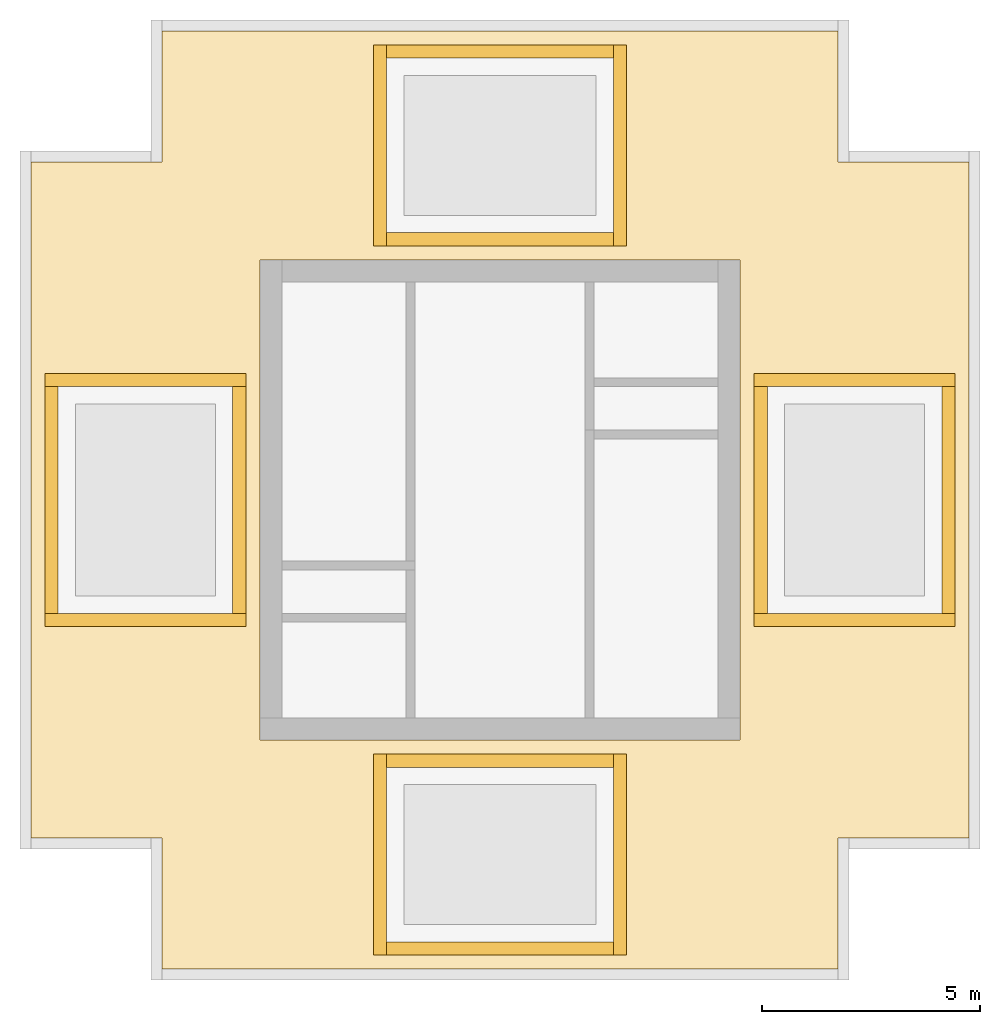
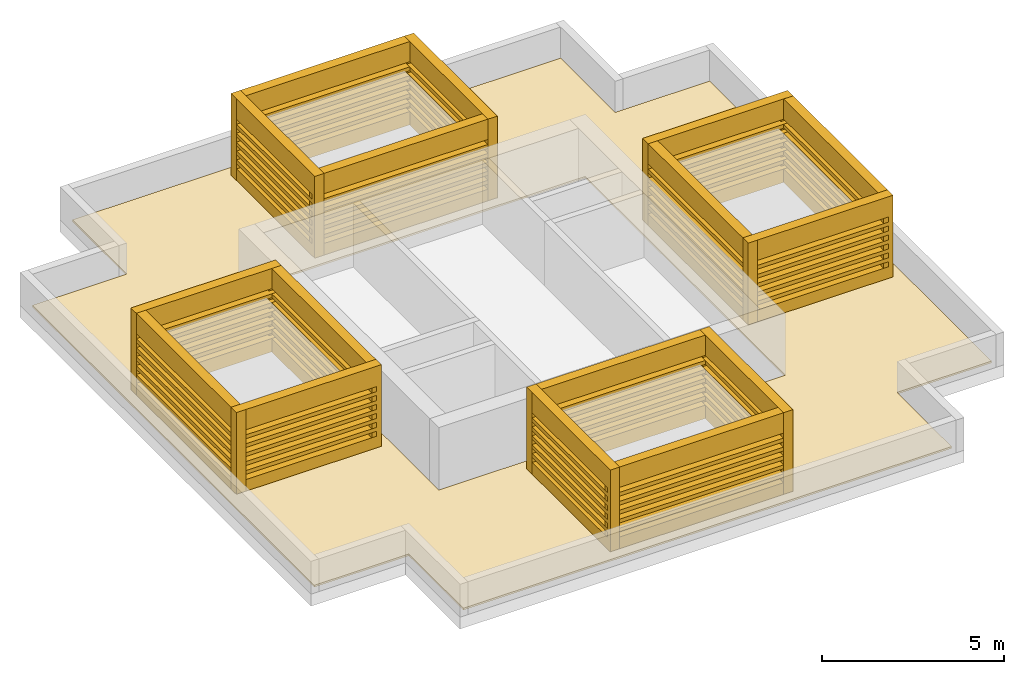
# One storey, part 2 of 3: 16 shading devices, 1 covering.
"""IFC4 building model written with IfcOpenShell, lengths in metres."""

from ifc_helpers import new_model, si_unit, direction, frame, origin, place, context, subcontext, project, spatial, polyline, outline, extrude, material, layer, layer_set, type_object, element, save


model = new_model("IFC4")

# Units and contexts
model_context = context("Model", 3, precision=1e-05, world=origin(), true_north=direction((0.0, 1.0)))
body_context = subcontext(model_context, "Body", "Model", "MODEL_VIEW")
ifc_project = project(units=[si_unit("LENGTHUNIT", "METRE"), si_unit("AREAUNIT", "SQUARE_METRE"), si_unit("VOLUMEUNIT", "CUBIC_METRE"), si_unit("PLANEANGLEUNIT", "RADIAN"), si_unit("MASSUNIT", "GRAM", prefix="KILO")], contexts=[model_context])

# Site, building, storey
site_placement = place(None, origin())
site = spatial("IfcSite", under=ifc_project, at=site_placement, CompositionType="ELEMENT")
building_placement = place(site_placement, origin())
building = spatial("IfcBuilding", under=site, at=building_placement, Name="Khepri Terraces", CompositionType="ELEMENT")
storey_placement = place(building_placement, frame((0.0, 0.0, 321.60009765625)))
storey = spatial("IfcBuildingStorey", under=building, at=storey_placement, Name="RF", CompositionType="ELEMENT", Elevation=321.60009765625)

# Covering
ifc_material_1 = material(Name="Bituminous roofing membrane")
ifc_layer = layer(ifc_material_1, 0.06005859375, Name="Bituminous roofing membrane")
ifc_layer_set = layer_set([ifc_layer], Name="Bituminous roofing membrane")
covering_type = type_object("IfcCoveringType", Name="COV-ROOF-MEMBRANE-60", PredefinedType="ROOFING", material=ifc_layer_set)
covering_placement = place(storey_placement, origin())
element("IfcCovering", 1, at=covering_placement, inside=storey, type_object=covering_type, Name="Roof membrane", PredefinedType="ROOFING", context=body_context, shape_type="SweptSolid", body=[
    extrude(outline(polyline([(7.75, -7.75), (10.75, -7.75), (10.75, 7.75), (7.75, 7.75), (7.75, 10.75), (-7.75, 10.75), (-7.75, 7.75), (-10.75, 7.75), (-10.75, -7.75), (-7.75, -7.75), (-7.75, -10.75), (7.75, -10.75), (7.75, -7.75)]), holes=[polyline([(-2.89990234375, -10.425048828125), (2.89990234375, -10.425048828125), (2.89990234375, -5.824951171875), (-2.89990234375, -5.824951171875), (-2.89990234375, -10.425048828125)]), polyline([(-10.425048828125, -2.89990234375), (-5.824951171875, -2.89990234375), (-5.824951171875, 2.89990234375), (-10.425048828125, 2.89990234375), (-10.425048828125, -2.89990234375)]), polyline([(-5.5, -5.5), (5.5, -5.5), (5.5, 5.5), (-5.5, 5.5), (-5.5, -5.5)]), polyline([(5.824951171875, 2.89990234375), (5.824951171875, -2.89990234375), (10.425048828125, -2.89990234375), (10.425048828125, 2.89990234375), (5.824951171875, 2.89990234375)]), polyline([(-2.89990234375, 10.425048828125), (-2.89990234375, 5.824951171875), (2.89990234375, 5.824951171875), (2.89990234375, 10.425048828125), (-2.89990234375, 10.425048828125)])]), origin(), (0.0, 0.0, 1.0), 0.059814453125),
])

# Shading devices
ifc_material_2 = material(Name="Anodised aluminium bronze", Category="aluminium")
shading_device_type = type_object("IfcShadingDeviceType", Name="LVR-PLANT-300", PredefinedType="USERDEFINED", material=ifc_material_2)
shading_device_1_placement = place(storey_placement, frame((5.824951171875, -2.60009765625, 0.0), z_axis=(0.0, -1.0, 0.0), x_axis=(1.0, 0.0, 0.0)))
element("IfcShadingDevice", 2, at=shading_device_1_placement, inside=storey, type_object=shading_device_type, Name="Louvre wall RF S", ObjectType="LOUVRE", PredefinedType="USERDEFINED", context=body_context, shape_type="SweptSolid", body=[
    extrude(outline(polyline([(0.0, 0.0), (4.60009765625, 0.0), (4.60009765625, 2.800048828125), (0.0, 2.800048828125), (0.0, 0.0)]), holes=[polyline([(0.14990234375, 0.449951171875), (4.449951171875, 0.449951171875), (4.449951171875, 0.6201171875), (0.14990234375, 0.6201171875), (0.14990234375, 0.449951171875)]), polyline([(0.14990234375, 0.75), (4.449951171875, 0.75), (4.449951171875, 0.919921875), (0.14990234375, 0.919921875), (0.14990234375, 0.75)]), polyline([(0.14990234375, 1.050048828125), (4.449951171875, 1.050048828125), (4.449951171875, 1.219970703125), (0.14990234375, 1.219970703125), (0.14990234375, 1.050048828125)]), polyline([(0.14990234375, 1.35009765625), (4.449951171875, 1.35009765625), (4.449951171875, 1.52001953125), (0.14990234375, 1.52001953125), (0.14990234375, 1.35009765625)]), polyline([(0.14990234375, 1.64990234375), (4.449951171875, 1.64990234375), (4.449951171875, 1.820068359375), (0.14990234375, 1.820068359375), (0.14990234375, 1.64990234375)]), polyline([(0.14990234375, 1.949951171875), (4.449951171875, 1.949951171875), (4.449951171875, 2.1201171875), (0.14990234375, 2.1201171875), (0.14990234375, 1.949951171875)])]), origin(), (0.0, 0.0, 1.0), 0.2998046875),
])
shading_device_2_placement = place(storey_placement, frame((10.125, -2.89990234375, 0.0), z_axis=(1.0, 0.0, 0.0), x_axis=(0.0, 1.0, 0.0)))
element("IfcShadingDevice", 3, at=shading_device_2_placement, inside=storey, type_object=shading_device_type, Name="Louvre wall RF E", ObjectType="LOUVRE", PredefinedType="USERDEFINED", context=body_context, shape_type="SweptSolid", body=[
    extrude(outline(polyline([(0.0, 0.0), (5.800048828125, 0.0), (5.800048828125, 2.800048828125), (0.0, 2.800048828125), (0.0, 0.0)]), holes=[polyline([(0.14990234375, 0.449951171875), (5.64990234375, 0.449951171875), (5.64990234375, 0.6201171875), (0.14990234375, 0.6201171875), (0.14990234375, 0.449951171875)]), polyline([(0.14990234375, 0.75), (5.64990234375, 0.75), (5.64990234375, 0.919921875), (0.14990234375, 0.919921875), (0.14990234375, 0.75)]), polyline([(0.14990234375, 1.050048828125), (5.64990234375, 1.050048828125), (5.64990234375, 1.219970703125), (0.14990234375, 1.219970703125), (0.14990234375, 1.050048828125)]), polyline([(0.14990234375, 1.35009765625), (5.64990234375, 1.35009765625), (5.64990234375, 1.52001953125), (0.14990234375, 1.52001953125), (0.14990234375, 1.35009765625)]), polyline([(0.14990234375, 1.64990234375), (5.64990234375, 1.64990234375), (5.64990234375, 1.820068359375), (0.14990234375, 1.820068359375), (0.14990234375, 1.64990234375)]), polyline([(0.14990234375, 1.949951171875), (5.64990234375, 1.949951171875), (5.64990234375, 2.1201171875), (0.14990234375, 2.1201171875), (0.14990234375, 1.949951171875)])]), origin(), (0.0, 0.0, 1.0), 0.300048828125),
])
shading_device_3_placement = place(storey_placement, frame((10.425048828125, 2.60009765625, 0.0), z_axis=(0.0, 1.0, 0.0), x_axis=(-1.0, 0.0, 0.0)))
element("IfcShadingDevice", 4, at=shading_device_3_placement, inside=storey, type_object=shading_device_type, Name="Louvre wall RF N", ObjectType="LOUVRE", PredefinedType="USERDEFINED", context=body_context, shape_type="SweptSolid", body=[
    extrude(outline(polyline([(0.0, 0.0), (4.60009765625, 0.0), (4.60009765625, 2.800048828125), (0.0, 2.800048828125), (0.0, 0.0)]), holes=[polyline([(0.14990234375, 0.449951171875), (4.449951171875, 0.449951171875), (4.449951171875, 0.6201171875), (0.14990234375, 0.6201171875), (0.14990234375, 0.449951171875)]), polyline([(0.14990234375, 0.75), (4.449951171875, 0.75), (4.449951171875, 0.919921875), (0.14990234375, 0.919921875), (0.14990234375, 0.75)]), polyline([(0.14990234375, 1.050048828125), (4.449951171875, 1.050048828125), (4.449951171875, 1.219970703125), (0.14990234375, 1.219970703125), (0.14990234375, 1.050048828125)]), polyline([(0.14990234375, 1.35009765625), (4.449951171875, 1.35009765625), (4.449951171875, 1.52001953125), (0.14990234375, 1.52001953125), (0.14990234375, 1.35009765625)]), polyline([(0.14990234375, 1.64990234375), (4.449951171875, 1.64990234375), (4.449951171875, 1.820068359375), (0.14990234375, 1.820068359375), (0.14990234375, 1.64990234375)]), polyline([(0.14990234375, 1.949951171875), (4.449951171875, 1.949951171875), (4.449951171875, 2.1201171875), (0.14990234375, 2.1201171875), (0.14990234375, 1.949951171875)])]), origin(), (0.0, 0.0, 1.0), 0.2998046875),
])
shading_device_4_placement = place(storey_placement, frame((6.125, 2.89990234375, 0.0), z_axis=(-1.0, 0.0, 0.0), x_axis=(0.0, -1.0, 0.0)))
element("IfcShadingDevice", 5, at=shading_device_4_placement, inside=storey, type_object=shading_device_type, Name="Louvre wall RF W", ObjectType="LOUVRE", PredefinedType="USERDEFINED", context=body_context, shape_type="SweptSolid", body=[
    extrude(outline(polyline([(0.0, 0.0), (5.800048828125, 0.0), (5.800048828125, 2.800048828125), (0.0, 2.800048828125), (0.0, 0.0)]), holes=[polyline([(0.14990234375, 0.449951171875), (5.64990234375, 0.449951171875), (5.64990234375, 0.6201171875), (0.14990234375, 0.6201171875), (0.14990234375, 0.449951171875)]), polyline([(0.14990234375, 0.75), (5.64990234375, 0.75), (5.64990234375, 0.919921875), (0.14990234375, 0.919921875), (0.14990234375, 0.75)]), polyline([(0.14990234375, 1.050048828125), (5.64990234375, 1.050048828125), (5.64990234375, 1.219970703125), (0.14990234375, 1.219970703125), (0.14990234375, 1.050048828125)]), polyline([(0.14990234375, 1.35009765625), (5.64990234375, 1.35009765625), (5.64990234375, 1.52001953125), (0.14990234375, 1.52001953125), (0.14990234375, 1.35009765625)]), polyline([(0.14990234375, 1.64990234375), (5.64990234375, 1.64990234375), (5.64990234375, 1.820068359375), (0.14990234375, 1.820068359375), (0.14990234375, 1.64990234375)]), polyline([(0.14990234375, 1.949951171875), (5.64990234375, 1.949951171875), (5.64990234375, 2.1201171875), (0.14990234375, 2.1201171875), (0.14990234375, 1.949951171875)])]), origin(), (0.0, 0.0, 1.0), 0.300048828125),
])
shading_device_5_placement = place(storey_placement, frame((-10.425048828125, -2.60009765625, 0.0), z_axis=(0.0, -1.0, 0.0), x_axis=(1.0, 0.0, 0.0)))
element("IfcShadingDevice", 6, at=shading_device_5_placement, inside=storey, type_object=shading_device_type, Name="Louvre wall RF S", ObjectType="LOUVRE", PredefinedType="USERDEFINED", context=body_context, shape_type="SweptSolid", body=[
    extrude(outline(polyline([(0.0, 0.0), (4.60009765625, 0.0), (4.60009765625, 2.800048828125), (0.0, 2.800048828125), (0.0, 0.0)]), holes=[polyline([(0.14990234375, 0.449951171875), (4.449951171875, 0.449951171875), (4.449951171875, 0.6201171875), (0.14990234375, 0.6201171875), (0.14990234375, 0.449951171875)]), polyline([(0.14990234375, 0.75), (4.449951171875, 0.75), (4.449951171875, 0.919921875), (0.14990234375, 0.919921875), (0.14990234375, 0.75)]), polyline([(0.14990234375, 1.050048828125), (4.449951171875, 1.050048828125), (4.449951171875, 1.219970703125), (0.14990234375, 1.219970703125), (0.14990234375, 1.050048828125)]), polyline([(0.14990234375, 1.35009765625), (4.449951171875, 1.35009765625), (4.449951171875, 1.52001953125), (0.14990234375, 1.52001953125), (0.14990234375, 1.35009765625)]), polyline([(0.14990234375, 1.64990234375), (4.449951171875, 1.64990234375), (4.449951171875, 1.820068359375), (0.14990234375, 1.820068359375), (0.14990234375, 1.64990234375)]), polyline([(0.14990234375, 1.949951171875), (4.449951171875, 1.949951171875), (4.449951171875, 2.1201171875), (0.14990234375, 2.1201171875), (0.14990234375, 1.949951171875)])]), origin(), (0.0, 0.0, 1.0), 0.2998046875),
])
shading_device_6_placement = place(storey_placement, frame((-6.125, -2.89990234375, 0.0), z_axis=(1.0, 0.0, 0.0), x_axis=(0.0, 1.0, 0.0)))
element("IfcShadingDevice", 7, at=shading_device_6_placement, inside=storey, type_object=shading_device_type, Name="Louvre wall RF E", ObjectType="LOUVRE", PredefinedType="USERDEFINED", context=body_context, shape_type="SweptSolid", body=[
    extrude(outline(polyline([(0.0, 0.0), (5.800048828125, 0.0), (5.800048828125, 2.800048828125), (0.0, 2.800048828125), (0.0, 0.0)]), holes=[polyline([(0.14990234375, 0.449951171875), (5.64990234375, 0.449951171875), (5.64990234375, 0.6201171875), (0.14990234375, 0.6201171875), (0.14990234375, 0.449951171875)]), polyline([(0.14990234375, 0.75), (5.64990234375, 0.75), (5.64990234375, 0.919921875), (0.14990234375, 0.919921875), (0.14990234375, 0.75)]), polyline([(0.14990234375, 1.050048828125), (5.64990234375, 1.050048828125), (5.64990234375, 1.219970703125), (0.14990234375, 1.219970703125), (0.14990234375, 1.050048828125)]), polyline([(0.14990234375, 1.35009765625), (5.64990234375, 1.35009765625), (5.64990234375, 1.52001953125), (0.14990234375, 1.52001953125), (0.14990234375, 1.35009765625)]), polyline([(0.14990234375, 1.64990234375), (5.64990234375, 1.64990234375), (5.64990234375, 1.820068359375), (0.14990234375, 1.820068359375), (0.14990234375, 1.64990234375)]), polyline([(0.14990234375, 1.949951171875), (5.64990234375, 1.949951171875), (5.64990234375, 2.1201171875), (0.14990234375, 2.1201171875), (0.14990234375, 1.949951171875)])]), origin(), (0.0, 0.0, 1.0), 0.300048828125),
])
shading_device_7_placement = place(storey_placement, frame((-5.824951171875, 2.60009765625, 0.0), z_axis=(0.0, 1.0, 0.0), x_axis=(-1.0, 0.0, 0.0)))
element("IfcShadingDevice", 8, at=shading_device_7_placement, inside=storey, type_object=shading_device_type, Name="Louvre wall RF N", ObjectType="LOUVRE", PredefinedType="USERDEFINED", context=body_context, shape_type="SweptSolid", body=[
    extrude(outline(polyline([(0.0, 0.0), (4.60009765625, 0.0), (4.60009765625, 2.800048828125), (0.0, 2.800048828125), (0.0, 0.0)]), holes=[polyline([(0.14990234375, 0.449951171875), (4.449951171875, 0.449951171875), (4.449951171875, 0.6201171875), (0.14990234375, 0.6201171875), (0.14990234375, 0.449951171875)]), polyline([(0.14990234375, 0.75), (4.449951171875, 0.75), (4.449951171875, 0.919921875), (0.14990234375, 0.919921875), (0.14990234375, 0.75)]), polyline([(0.14990234375, 1.050048828125), (4.449951171875, 1.050048828125), (4.449951171875, 1.219970703125), (0.14990234375, 1.219970703125), (0.14990234375, 1.050048828125)]), polyline([(0.14990234375, 1.35009765625), (4.449951171875, 1.35009765625), (4.449951171875, 1.52001953125), (0.14990234375, 1.52001953125), (0.14990234375, 1.35009765625)]), polyline([(0.14990234375, 1.64990234375), (4.449951171875, 1.64990234375), (4.449951171875, 1.820068359375), (0.14990234375, 1.820068359375), (0.14990234375, 1.64990234375)]), polyline([(0.14990234375, 1.949951171875), (4.449951171875, 1.949951171875), (4.449951171875, 2.1201171875), (0.14990234375, 2.1201171875), (0.14990234375, 1.949951171875)])]), origin(), (0.0, 0.0, 1.0), 0.2998046875),
])
for number, where, z_axis, x_axis, name in (
    (9, (-10.125, 2.89990234375, 0.0), (-1.0, 0.0, 0.0), (0.0, -1.0, 0.0), "Louvre wall RF W"),
    (10, (-2.89990234375, 6.125, 0.0), (0.0, -1.0, 0.0), (1.0, 0.0, 0.0), "Louvre wall RF S"),
):
    element("IfcShadingDevice", number, at=place(storey_placement, frame(where, z_axis=z_axis, x_axis=x_axis)), inside=storey, type_object=shading_device_type, Name=name, ObjectType="LOUVRE", PredefinedType="USERDEFINED", context=body_context, shape_type="SweptSolid", body=[
        extrude(outline(polyline([(0.0, 0.0), (5.800048828125, 0.0), (5.800048828125, 2.800048828125), (0.0, 2.800048828125), (0.0, 0.0)]), holes=[polyline([(0.14990234375, 0.449951171875), (5.64990234375, 0.449951171875), (5.64990234375, 0.6201171875), (0.14990234375, 0.6201171875), (0.14990234375, 0.449951171875)]), polyline([(0.14990234375, 0.75), (5.64990234375, 0.75), (5.64990234375, 0.919921875), (0.14990234375, 0.919921875), (0.14990234375, 0.75)]), polyline([(0.14990234375, 1.050048828125), (5.64990234375, 1.050048828125), (5.64990234375, 1.219970703125), (0.14990234375, 1.219970703125), (0.14990234375, 1.050048828125)]), polyline([(0.14990234375, 1.35009765625), (5.64990234375, 1.35009765625), (5.64990234375, 1.52001953125), (0.14990234375, 1.52001953125), (0.14990234375, 1.35009765625)]), polyline([(0.14990234375, 1.64990234375), (5.64990234375, 1.64990234375), (5.64990234375, 1.820068359375), (0.14990234375, 1.820068359375), (0.14990234375, 1.64990234375)]), polyline([(0.14990234375, 1.949951171875), (5.64990234375, 1.949951171875), (5.64990234375, 2.1201171875), (0.14990234375, 2.1201171875), (0.14990234375, 1.949951171875)])]), origin(), (0.0, 0.0, 1.0), 0.300048828125),
    ])
shading_device_8_placement = place(storey_placement, frame((2.60009765625, 5.824951171875, 0.0), z_axis=(1.0, 0.0, 0.0), x_axis=(0.0, 1.0, 0.0)))
element("IfcShadingDevice", 11, at=shading_device_8_placement, inside=storey, type_object=shading_device_type, Name="Louvre wall RF E", ObjectType="LOUVRE", PredefinedType="USERDEFINED", context=body_context, shape_type="SweptSolid", body=[
    extrude(outline(polyline([(0.0, 0.0), (4.60009765625, 0.0), (4.60009765625, 2.800048828125), (0.0, 2.800048828125), (0.0, 0.0)]), holes=[polyline([(0.14990234375, 0.449951171875), (4.449951171875, 0.449951171875), (4.449951171875, 0.6201171875), (0.14990234375, 0.6201171875), (0.14990234375, 0.449951171875)]), polyline([(0.14990234375, 0.75), (4.449951171875, 0.75), (4.449951171875, 0.919921875), (0.14990234375, 0.919921875), (0.14990234375, 0.75)]), polyline([(0.14990234375, 1.050048828125), (4.449951171875, 1.050048828125), (4.449951171875, 1.219970703125), (0.14990234375, 1.219970703125), (0.14990234375, 1.050048828125)]), polyline([(0.14990234375, 1.35009765625), (4.449951171875, 1.35009765625), (4.449951171875, 1.52001953125), (0.14990234375, 1.52001953125), (0.14990234375, 1.35009765625)]), polyline([(0.14990234375, 1.64990234375), (4.449951171875, 1.64990234375), (4.449951171875, 1.820068359375), (0.14990234375, 1.820068359375), (0.14990234375, 1.64990234375)]), polyline([(0.14990234375, 1.949951171875), (4.449951171875, 1.949951171875), (4.449951171875, 2.1201171875), (0.14990234375, 2.1201171875), (0.14990234375, 1.949951171875)])]), origin(), (0.0, 0.0, 1.0), 0.2998046875),
])
shading_device_9_placement = place(storey_placement, frame((2.89990234375, 10.125, 0.0), z_axis=(0.0, 1.0, 0.0), x_axis=(-1.0, 0.0, 0.0)))
element("IfcShadingDevice", 12, at=shading_device_9_placement, inside=storey, type_object=shading_device_type, Name="Louvre wall RF N", ObjectType="LOUVRE", PredefinedType="USERDEFINED", context=body_context, shape_type="SweptSolid", body=[
    extrude(outline(polyline([(0.0, 0.0), (5.800048828125, 0.0), (5.800048828125, 2.800048828125), (0.0, 2.800048828125), (0.0, 0.0)]), holes=[polyline([(0.14990234375, 0.449951171875), (5.64990234375, 0.449951171875), (5.64990234375, 0.6201171875), (0.14990234375, 0.6201171875), (0.14990234375, 0.449951171875)]), polyline([(0.14990234375, 0.75), (5.64990234375, 0.75), (5.64990234375, 0.919921875), (0.14990234375, 0.919921875), (0.14990234375, 0.75)]), polyline([(0.14990234375, 1.050048828125), (5.64990234375, 1.050048828125), (5.64990234375, 1.219970703125), (0.14990234375, 1.219970703125), (0.14990234375, 1.050048828125)]), polyline([(0.14990234375, 1.35009765625), (5.64990234375, 1.35009765625), (5.64990234375, 1.52001953125), (0.14990234375, 1.52001953125), (0.14990234375, 1.35009765625)]), polyline([(0.14990234375, 1.64990234375), (5.64990234375, 1.64990234375), (5.64990234375, 1.820068359375), (0.14990234375, 1.820068359375), (0.14990234375, 1.64990234375)]), polyline([(0.14990234375, 1.949951171875), (5.64990234375, 1.949951171875), (5.64990234375, 2.1201171875), (0.14990234375, 2.1201171875), (0.14990234375, 1.949951171875)])]), origin(), (0.0, 0.0, 1.0), 0.300048828125),
])
shading_device_10_placement = place(storey_placement, frame((-2.60009765625, 10.425048828125, 0.0), z_axis=(-1.0, 0.0, 0.0), x_axis=(0.0, -1.0, 0.0)))
element("IfcShadingDevice", 13, at=shading_device_10_placement, inside=storey, type_object=shading_device_type, Name="Louvre wall RF W", ObjectType="LOUVRE", PredefinedType="USERDEFINED", context=body_context, shape_type="SweptSolid", body=[
    extrude(outline(polyline([(0.0, 0.0), (4.60009765625, 0.0), (4.60009765625, 2.800048828125), (0.0, 2.800048828125), (0.0, 0.0)]), holes=[polyline([(0.14990234375, 0.449951171875), (4.449951171875, 0.449951171875), (4.449951171875, 0.6201171875), (0.14990234375, 0.6201171875), (0.14990234375, 0.449951171875)]), polyline([(0.14990234375, 0.75), (4.449951171875, 0.75), (4.449951171875, 0.919921875), (0.14990234375, 0.919921875), (0.14990234375, 0.75)]), polyline([(0.14990234375, 1.050048828125), (4.449951171875, 1.050048828125), (4.449951171875, 1.219970703125), (0.14990234375, 1.219970703125), (0.14990234375, 1.050048828125)]), polyline([(0.14990234375, 1.35009765625), (4.449951171875, 1.35009765625), (4.449951171875, 1.52001953125), (0.14990234375, 1.52001953125), (0.14990234375, 1.35009765625)]), polyline([(0.14990234375, 1.64990234375), (4.449951171875, 1.64990234375), (4.449951171875, 1.820068359375), (0.14990234375, 1.820068359375), (0.14990234375, 1.64990234375)]), polyline([(0.14990234375, 1.949951171875), (4.449951171875, 1.949951171875), (4.449951171875, 2.1201171875), (0.14990234375, 2.1201171875), (0.14990234375, 1.949951171875)])]), origin(), (0.0, 0.0, 1.0), 0.2998046875),
])
shading_device_11_placement = place(storey_placement, frame((-2.89990234375, -10.125, 0.0), z_axis=(0.0, -1.0, 0.0), x_axis=(1.0, 0.0, 0.0)))
element("IfcShadingDevice", 14, at=shading_device_11_placement, inside=storey, type_object=shading_device_type, Name="Louvre wall RF S", ObjectType="LOUVRE", PredefinedType="USERDEFINED", context=body_context, shape_type="SweptSolid", body=[
    extrude(outline(polyline([(0.0, 0.0), (5.800048828125, 0.0), (5.800048828125, 2.800048828125), (0.0, 2.800048828125), (0.0, 0.0)]), holes=[polyline([(0.14990234375, 0.449951171875), (5.64990234375, 0.449951171875), (5.64990234375, 0.6201171875), (0.14990234375, 0.6201171875), (0.14990234375, 0.449951171875)]), polyline([(0.14990234375, 0.75), (5.64990234375, 0.75), (5.64990234375, 0.919921875), (0.14990234375, 0.919921875), (0.14990234375, 0.75)]), polyline([(0.14990234375, 1.050048828125), (5.64990234375, 1.050048828125), (5.64990234375, 1.219970703125), (0.14990234375, 1.219970703125), (0.14990234375, 1.050048828125)]), polyline([(0.14990234375, 1.35009765625), (5.64990234375, 1.35009765625), (5.64990234375, 1.52001953125), (0.14990234375, 1.52001953125), (0.14990234375, 1.35009765625)]), polyline([(0.14990234375, 1.64990234375), (5.64990234375, 1.64990234375), (5.64990234375, 1.820068359375), (0.14990234375, 1.820068359375), (0.14990234375, 1.64990234375)]), polyline([(0.14990234375, 1.949951171875), (5.64990234375, 1.949951171875), (5.64990234375, 2.1201171875), (0.14990234375, 2.1201171875), (0.14990234375, 1.949951171875)])]), origin(), (0.0, 0.0, 1.0), 0.300048828125),
])
shading_device_12_placement = place(storey_placement, frame((2.60009765625, -10.425048828125, 0.0), z_axis=(1.0, 0.0, 0.0), x_axis=(0.0, 1.0, 0.0)))
element("IfcShadingDevice", 15, at=shading_device_12_placement, inside=storey, type_object=shading_device_type, Name="Louvre wall RF E", ObjectType="LOUVRE", PredefinedType="USERDEFINED", context=body_context, shape_type="SweptSolid", body=[
    extrude(outline(polyline([(0.0, 0.0), (4.60009765625, 0.0), (4.60009765625, 2.800048828125), (0.0, 2.800048828125), (0.0, 0.0)]), holes=[polyline([(0.14990234375, 0.449951171875), (4.449951171875, 0.449951171875), (4.449951171875, 0.6201171875), (0.14990234375, 0.6201171875), (0.14990234375, 0.449951171875)]), polyline([(0.14990234375, 0.75), (4.449951171875, 0.75), (4.449951171875, 0.919921875), (0.14990234375, 0.919921875), (0.14990234375, 0.75)]), polyline([(0.14990234375, 1.050048828125), (4.449951171875, 1.050048828125), (4.449951171875, 1.219970703125), (0.14990234375, 1.219970703125), (0.14990234375, 1.050048828125)]), polyline([(0.14990234375, 1.35009765625), (4.449951171875, 1.35009765625), (4.449951171875, 1.52001953125), (0.14990234375, 1.52001953125), (0.14990234375, 1.35009765625)]), polyline([(0.14990234375, 1.64990234375), (4.449951171875, 1.64990234375), (4.449951171875, 1.820068359375), (0.14990234375, 1.820068359375), (0.14990234375, 1.64990234375)]), polyline([(0.14990234375, 1.949951171875), (4.449951171875, 1.949951171875), (4.449951171875, 2.1201171875), (0.14990234375, 2.1201171875), (0.14990234375, 1.949951171875)])]), origin(), (0.0, 0.0, 1.0), 0.2998046875),
])
shading_device_13_placement = place(storey_placement, frame((2.89990234375, -6.125, 0.0), z_axis=(0.0, 1.0, 0.0), x_axis=(-1.0, 0.0, 0.0)))
element("IfcShadingDevice", 16, at=shading_device_13_placement, inside=storey, type_object=shading_device_type, Name="Louvre wall RF N", ObjectType="LOUVRE", PredefinedType="USERDEFINED", context=body_context, shape_type="SweptSolid", body=[
    extrude(outline(polyline([(0.0, 0.0), (5.800048828125, 0.0), (5.800048828125, 2.800048828125), (0.0, 2.800048828125), (0.0, 0.0)]), holes=[polyline([(0.14990234375, 0.449951171875), (5.64990234375, 0.449951171875), (5.64990234375, 0.6201171875), (0.14990234375, 0.6201171875), (0.14990234375, 0.449951171875)]), polyline([(0.14990234375, 0.75), (5.64990234375, 0.75), (5.64990234375, 0.919921875), (0.14990234375, 0.919921875), (0.14990234375, 0.75)]), polyline([(0.14990234375, 1.050048828125), (5.64990234375, 1.050048828125), (5.64990234375, 1.219970703125), (0.14990234375, 1.219970703125), (0.14990234375, 1.050048828125)]), polyline([(0.14990234375, 1.35009765625), (5.64990234375, 1.35009765625), (5.64990234375, 1.52001953125), (0.14990234375, 1.52001953125), (0.14990234375, 1.35009765625)]), polyline([(0.14990234375, 1.64990234375), (5.64990234375, 1.64990234375), (5.64990234375, 1.820068359375), (0.14990234375, 1.820068359375), (0.14990234375, 1.64990234375)]), polyline([(0.14990234375, 1.949951171875), (5.64990234375, 1.949951171875), (5.64990234375, 2.1201171875), (0.14990234375, 2.1201171875), (0.14990234375, 1.949951171875)])]), origin(), (0.0, 0.0, 1.0), 0.300048828125),
])
shading_device_14_placement = place(storey_placement, frame((-2.60009765625, -5.824951171875, 0.0), z_axis=(-1.0, 0.0, 0.0), x_axis=(0.0, -1.0, 0.0)))
element("IfcShadingDevice", 17, at=shading_device_14_placement, inside=storey, type_object=shading_device_type, Name="Louvre wall RF W", ObjectType="LOUVRE", PredefinedType="USERDEFINED", context=body_context, shape_type="SweptSolid", body=[
    extrude(outline(polyline([(0.0, 0.0), (4.60009765625, 0.0), (4.60009765625, 2.800048828125), (0.0, 2.800048828125), (0.0, 0.0)]), holes=[polyline([(0.14990234375, 0.449951171875), (4.449951171875, 0.449951171875), (4.449951171875, 0.6201171875), (0.14990234375, 0.6201171875), (0.14990234375, 0.449951171875)]), polyline([(0.14990234375, 0.75), (4.449951171875, 0.75), (4.449951171875, 0.919921875), (0.14990234375, 0.919921875), (0.14990234375, 0.75)]), polyline([(0.14990234375, 1.050048828125), (4.449951171875, 1.050048828125), (4.449951171875, 1.219970703125), (0.14990234375, 1.219970703125), (0.14990234375, 1.050048828125)]), polyline([(0.14990234375, 1.35009765625), (4.449951171875, 1.35009765625), (4.449951171875, 1.52001953125), (0.14990234375, 1.52001953125), (0.14990234375, 1.35009765625)]), polyline([(0.14990234375, 1.64990234375), (4.449951171875, 1.64990234375), (4.449951171875, 1.820068359375), (0.14990234375, 1.820068359375), (0.14990234375, 1.64990234375)]), polyline([(0.14990234375, 1.949951171875), (4.449951171875, 1.949951171875), (4.449951171875, 2.1201171875), (0.14990234375, 2.1201171875), (0.14990234375, 1.949951171875)])]), origin(), (0.0, 0.0, 1.0), 0.2998046875),
])

save(model, "model.ifc")
